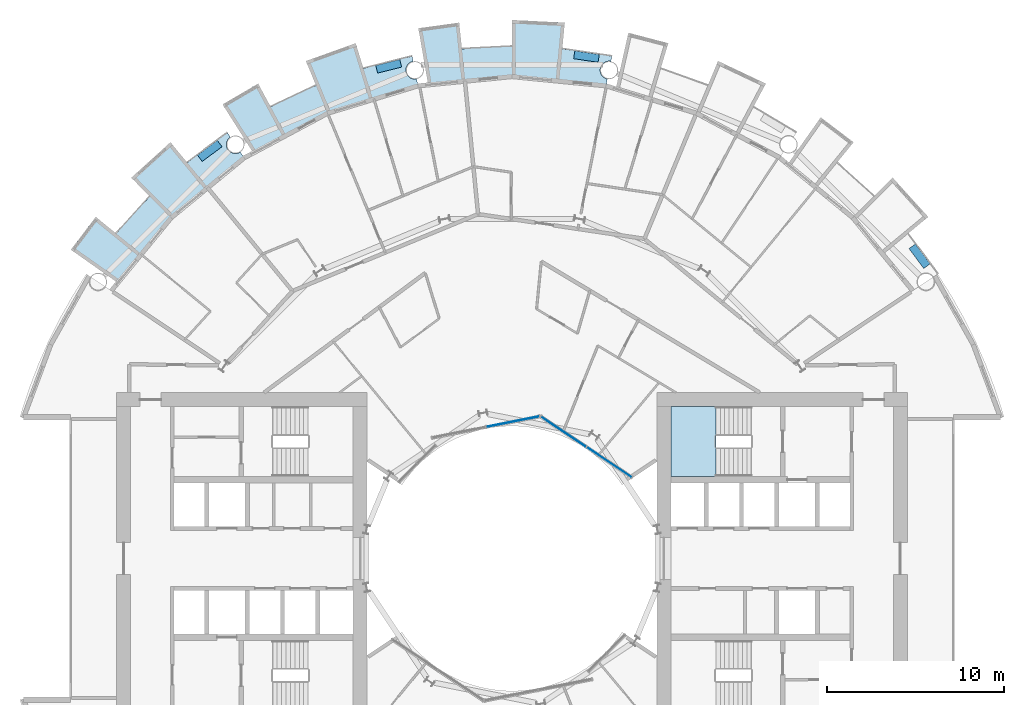
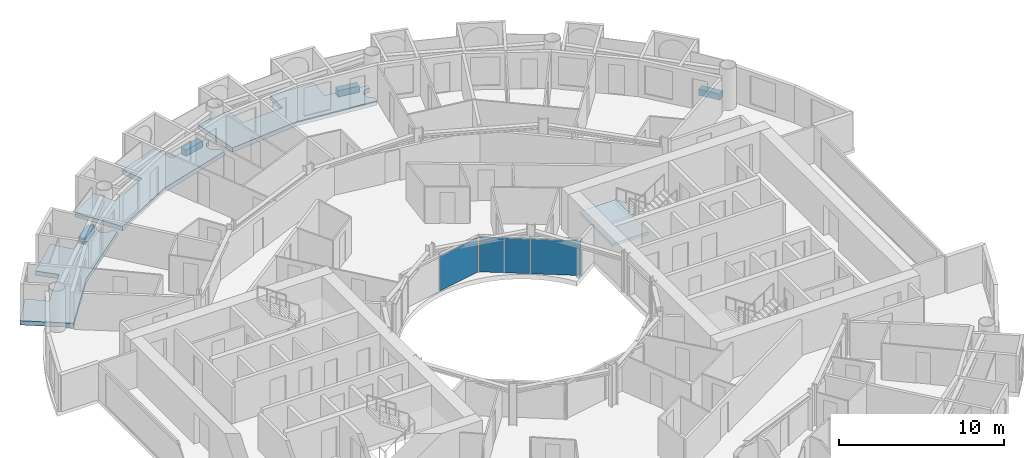
# One storey, part 11 of 26: 8 slabs, 3 plates, 3 elements without a shape of their own.
"""IFC4 building model written with IfcOpenShell, lengths in metres."""

from ifc_helpers import new_model, si_unit, direction, frame, origin, origin_2d, place, context, subcontext, project, spatial, polyline, rectangle, outline, extrude, material, layer, layer_set, type_object, element, aggregate, save


model = new_model("IFC4")

# Units and contexts
model_context = context("Model", 3, precision=1e-05, world=origin(), true_north=direction((0.0, 1.0)))
body_context = subcontext(model_context, "Body", "Model", "MODEL_VIEW")
ifc_project = project(units=[si_unit("LENGTHUNIT", "METRE"), si_unit("AREAUNIT", "SQUARE_METRE"), si_unit("VOLUMEUNIT", "CUBIC_METRE"), si_unit("PLANEANGLEUNIT", "RADIAN"), si_unit("MASSUNIT", "GRAM", prefix="KILO")], contexts=[model_context])

# Site, building, storey
site_placement = place(None, origin())
site = spatial("IfcSite", under=ifc_project, at=site_placement, CompositionType="ELEMENT")
building_placement = place(site_placement, origin())
building = spatial("IfcBuilding", under=site, at=building_placement, Name="Maasbend Ring Residences", CompositionType="ELEMENT")
storey_placement = place(building_placement, frame((0.0, 0.0, 50.25)))
storey = spatial("IfcBuildingStorey", under=building, at=storey_placement, Name="L14", CompositionType="ELEMENT", Elevation=50.25)

# Stair, slab
ifc_material_1 = material(Name="Concrete C40/50", Category="concrete")
stair_type = type_object("IfcStairType", Name="CORE STAIR 18 RISERS", PredefinedType="HALF_TURN_STAIR", material=ifc_material_1)
stair_placement = place(storey_placement, origin())
stair = element("IfcStair", 1, at=stair_placement, inside=storey, type_object=stair_type, Name="L14 Exit stair ST-E1", PredefinedType="HALF_TURN_STAIR")
ifc_material_2 = material(Name="Concrete C40/50", Category="concrete")
ifc_layer_1 = layer(ifc_material_2, 0.199951171875)
ifc_layer_set_1 = layer_set([ifc_layer_1], Name="Concrete C40/50")
slab_type_1 = type_object("IfcSlabType", Name="CORE STAIR LANDING 200", PredefinedType="LANDING", material=ifc_layer_set_1)
slab_1_placement = place(storey_placement, frame((0.0, 0.0, 1.324951171875)))
slab_1 = element("IfcSlab", 2, at=slab_1_placement, type_object=slab_type_1, Name="ST-E1 landing 1", PredefinedType="LANDING", context=body_context, shape_type="SweptSolid", body=[
    extrude(outline(polyline([(11.550048828125, 8.60009765625), (9.0, 8.60009765625), (9.0, 4.64990234375), (11.550048828125, 4.64990234375), (11.550048828125, 8.60009765625)])), origin(), (0.0, 0.0, 1.0), 0.199951171875),
])
aggregate(stair, [slab_1])

# Curtain wall, plates
ifc_material_3 = material(Name="Aluminium and clear glass", Category="aluminium")
ifc_layer_2 = layer(ifc_material_3, 0.179931640625)
ifc_layer_set_2 = layer_set([ifc_layer_2], Name="CW-W")
curtain_wall_type = type_object("IfcCurtainWallType", Name="CW-W", PredefinedType="NOTDEFINED", material=ifc_layer_set_2)
curtain_wall_1_placement = place(storey_placement, origin())
curtain_wall_1 = element("IfcCurtainWall", 3, at=curtain_wall_1_placement, inside=storey, type_object=curtain_wall_type, Name="Well curtain wall N1", PredefinedType="NOTDEFINED")
ifc_material_4 = material(Name="Glass clear laminated", Category="glass")
ifc_layer_3 = layer(ifc_material_4, 0.031982421875)
ifc_layer_set_3 = layer_set([ifc_layer_3], Name="CWP-W")
plate_type = type_object("IfcPlateType", Name="CWP-W", PredefinedType="CURTAIN_PANEL", material=ifc_layer_set_3)
plate_1_placement = place(storey_placement, frame((5.51123046875, 5.44580078125, 0.0), z_axis=(0.0, 0.0, 1.0), x_axis=(-0.831469612303, 0.55557023302, 0.0)))
plate_1 = element("IfcPlate", 4, at=plate_1_placement, type_object=plate_type, Name="Glass panel well face", PredefinedType="CURTAIN_PANEL", context=body_context, shape_type="SweptSolid", body=[
    extrude(rectangle(XDim=3.053955078125, YDim=0.031982421875, at=origin_2d()), origin(), (0.0, 0.0, 1.0), 2.580078125),
])
plate_2_placement = place(storey_placement, frame((2.922119140625, 7.17578125, 0.0), z_axis=(0.0, 0.0, 1.0), x_axis=(-0.831469612303, 0.55557023302, 0.0)))
plate_2 = element("IfcPlate", 5, at=plate_2_placement, type_object=plate_type, Name="Glass panel well face", PredefinedType="CURTAIN_PANEL", context=body_context, shape_type="SweptSolid", body=[
    extrude(rectangle(XDim=3.053955078125, YDim=0.031982421875, at=origin_2d()), origin(), (0.0, 0.0, 1.0), 2.580078125),
])
aggregate(curtain_wall_1, [plate_1, plate_2])

# Curtain wall, plate
curtain_wall_2_placement = place(storey_placement, origin())
curtain_wall_2 = element("IfcCurtainWall", 6, at=curtain_wall_2_placement, inside=storey, type_object=curtain_wall_type, Name="Well curtain wall N2", PredefinedType="NOTDEFINED")
plate_3_placement = place(storey_placement, frame((0.04638671875, 7.747802734375, 0.0), z_axis=(0.0, 0.0, 1.0), x_axis=(-0.980785280403, -0.195090322016, 0.0)))
plate_3 = element("IfcPlate", 7, at=plate_3_placement, type_object=plate_type, Name="Glass panel well face", PredefinedType="CURTAIN_PANEL", context=body_context, shape_type="SweptSolid", body=[
    extrude(rectangle(XDim=3.053955078125, YDim=0.031982421875, at=origin_2d()), origin(), (0.0, 0.0, 1.0), 2.580078125),
])
aggregate(curtain_wall_2, [plate_3])

# Slabs
ifc_material_5 = material(Name="Planting with climbing greenery")
ifc_layer_4 = layer(ifc_material_5, 0.449951171875)
ifc_layer_set_4 = layer_set([ifc_layer_4], Name="PLANTER-LG")
slab_type_2 = type_object("IfcSlabType", Name="PLANTER-LG", PredefinedType="USERDEFINED", material=ifc_layer_set_4)
slab_2_placement = place(storey_placement, frame((0.0, 0.0, -0.030029296875)))
element("IfcSlab", 8, at=slab_2_placement, inside=storey, type_object=slab_type_2, Name="Planter with climbing greenery 1", ObjectType="PLANTER", PredefinedType="USERDEFINED", context=body_context, shape_type="SweptSolid", body=[
    extrude(outline(polyline([(23.681884765625, 16.69189453125), (22.847900390625, 17.81689453125), (22.487060546875, 17.549072265625), (23.321044921875, 16.424072265625), (23.681884765625, 16.69189453125)])), origin(), (0.0, 0.0, 1.0), 0.449951171875),
])
slab_3_placement = place(storey_placement, frame((0.0, 0.0, -0.030029296875)))
element("IfcSlab", 9, at=slab_3_placement, inside=storey, type_object=slab_type_2, Name="Planter with climbing greenery 3", ObjectType="PLANTER", PredefinedType="USERDEFINED", context=body_context, shape_type="SweptSolid", body=[
    extrude(outline(polyline([(4.94189453125, 28.549072265625), (3.55810546875, 28.75390625), (3.491943359375, 28.30908203125), (4.8759765625, 28.10400390625), (4.94189453125, 28.549072265625)])), origin(), (0.0, 0.0, 1.0), 0.449951171875),
])
slab_4_placement = place(storey_placement, frame((0.0, 0.0, -0.030029296875)))
element("IfcSlab", 10, at=slab_4_placement, inside=storey, type_object=slab_type_2, Name="Planter with climbing greenery 4", ObjectType="PLANTER", PredefinedType="USERDEFINED", context=body_context, shape_type="SweptSolid", body=[
    extrude(outline(polyline([(-6.35888671875, 28.26708984375), (-7.717041015625, 27.927001953125), (-7.60791015625, 27.489990234375), (-6.25, 27.8310546875), (-6.35888671875, 28.26708984375)])), origin(), (0.0, 0.0, 1.0), 0.449951171875),
])
slab_5_placement = place(storey_placement, frame((0.0, 0.0, -0.030029296875)))
element("IfcSlab", 11, at=slab_5_placement, inside=storey, type_object=slab_type_2, Name="Planter with climbing greenery 5", ObjectType="PLANTER", PredefinedType="USERDEFINED", context=body_context, shape_type="SweptSolid", body=[
    extrude(outline(polyline([(-16.69189453125, 23.681884765625), (-17.81689453125, 22.847900390625), (-17.549072265625, 22.487060546875), (-16.424072265625, 23.321044921875), (-16.69189453125, 23.681884765625)])), origin(), (0.0, 0.0, 1.0), 0.449951171875),
])
ifc_material_6 = material(Name="Concrete C40/50", Category="concrete")
ifc_layer_5 = layer(ifc_material_6, 0.199951171875)
ifc_layer_set_5 = layer_set([ifc_layer_5], Name="Concrete C40/50")
slab_type_3 = type_object("IfcSlabType", Name="SL-LOGGIA", PredefinedType="FLOOR", material=ifc_layer_set_5)
slab_6_placement = place(storey_placement, frame((0.0, 0.0, -0.35009765625)))
element("IfcSlab", 12, at=slab_6_placement, inside=storey, type_object=slab_type_3, Name="Loggia floor 2", PredefinedType="FLOOR", context=body_context, shape_type="SweptSolid", body=[
    extrude(outline(polyline([(-13.6708984375, 25.575927734375), (-13.6708984375, 25.575927734375), (-13.6708984375, 25.575927734375), (-13.6708984375, 25.575927734375), (-13.6708984375, 25.575927734375), (-13.6708984375, 25.575927734375), (-13.6708984375, 25.575927734375), (-13.669921875, 25.575927734375), (-13.669921875, 25.575927734375), (-13.669921875, 25.575927734375), (-13.669921875, 25.575927734375), (-13.669921875, 25.575927734375), (-13.669921875, 25.575927734375), (-13.669921875, 25.575927734375), (-13.669921875, 25.575927734375), (-13.669921875, 25.575927734375), (-13.669921875, 25.575927734375), (-12.825927734375, 26.009033203125), (-12.825927734375, 26.009033203125), (-11.968994140625, 26.4150390625), (-11.968994140625, 26.4150390625), (-11.097900390625, 26.7919921875), (-11.097900390625, 26.7919921875), (-11.097900390625, 26.7919921875), (-11.097900390625, 26.7919921875), (-11.097900390625, 26.7919921875), (-11.097900390625, 26.7919921875), (-11.097900390625, 26.7919921875), (-11.097900390625, 26.79296875), (-11.097900390625, 26.79296875), (-11.097900390625, 26.79296875), (-11.097900390625, 26.79296875), (-11.097900390625, 26.79296875), (-11.097900390625, 26.79296875), (-11.097900390625, 26.79296875), (-11.097900390625, 26.79296875), (-11.097900390625, 26.79296875), (-11.097900390625, 26.79296875), (-11.672119140625, 28.177978515625), (-11.672119140625, 28.177978515625), (-11.672119140625, 28.177978515625), (-8.85400390625, 29.18701171875), (-8.85400390625, 29.18701171875), (-8.85400390625, 29.18701171875), (-8.41796875, 27.751953125), (-8.41796875, 27.751953125), (-8.41796875, 27.751953125), (-8.41796875, 27.751953125), (-8.41796875, 27.751953125), (-8.41796875, 27.751953125), (-8.41796875, 27.751953125), (-8.41796875, 27.7509765625), (-8.41796875, 27.7509765625), (-8.41796875, 27.7509765625), (-8.41796875, 27.7509765625), (-8.41796875, 27.7509765625), (-8.41796875, 27.7509765625), (-8.41796875, 27.7509765625), (-8.41796875, 27.7509765625), (-8.41796875, 27.7509765625), (-8.41796875, 27.7509765625), (-7.506103515625, 28.011962890625), (-7.506103515625, 28.011962890625), (-6.5849609375, 28.241943359375), (-6.5849609375, 28.241943359375), (-5.657958984375, 28.443115234375), (-5.657958984375, 28.443115234375), (-5.657958984375, 28.443115234375), (-5.60107421875, 28.156005859375), (-5.613037109375, 28.154052734375), (-5.625, 28.15087890625), (-5.636962890625, 28.14794921875), (-5.64892578125, 28.14404296875), (-5.660888671875, 28.139892578125), (-5.673095703125, 28.135986328125), (-5.68408203125, 28.132080078125), (-5.696044921875, 28.126953125), (-5.70703125, 28.123046875), (-5.718994140625, 28.116943359375), (-5.72998046875, 28.112060546875), (-5.740966796875, 28.10595703125), (-5.751953125, 28.10009765625), (-5.762939453125, 28.093994140625), (-5.77294921875, 28.0869140625), (-5.783935546875, 28.080078125), (-5.7939453125, 28.072998046875), (-5.803955078125, 28.06591796875), (-5.81396484375, 28.05908203125), (-5.823974609375, 28.051025390625), (-5.8330078125, 28.04296875), (-5.843017578125, 28.034912109375), (-5.85205078125, 28.02587890625), (-5.861083984375, 28.01708984375), (-5.868896484375, 28.008056640625), (-5.8779296875, 27.9990234375), (-5.885986328125, 27.989990234375), (-5.89404296875, 27.97998046875), (-5.902099609375, 27.970947265625), (-5.909912109375, 27.9609375), (-5.9169921875, 27.950927734375), (-5.924072265625, 27.93994140625), (-5.930908203125, 27.929931640625), (-5.93701171875, 27.9189453125), (-5.944091796875, 27.907958984375), (-5.949951171875, 27.89794921875), (-5.955078125, 27.886962890625), (-5.9609375, 27.875), (-5.966064453125, 27.864013671875), (-5.970947265625, 27.85302734375), (-5.97509765625, 27.841064453125), (-5.97998046875, 27.8291015625), (-5.98388671875, 27.81689453125), (-5.988037109375, 27.805908203125), (-5.990966796875, 27.7939453125), (-5.993896484375, 27.781982421875), (-5.9970703125, 27.76904296875), (-6.0, 27.757080078125), (-6.001953125, 27.7451171875), (-6.00390625, 27.73291015625), (-6.006103515625, 27.719970703125), (-6.007080078125, 27.7080078125), (-6.008056640625, 27.695068359375), (-6.009033203125, 27.68310546875), (-6.009033203125, 27.6708984375), (-6.010009765625, 27.657958984375), (-6.009033203125, 27.64599609375), (-6.009033203125, 27.633056640625), (-6.008056640625, 27.62109375), (-6.007080078125, 27.60791015625), (-6.006103515625, 27.595947265625), (-6.00390625, 27.583984375), (-6.001953125, 27.571044921875), (-6.0, 27.55908203125), (-5.9970703125, 27.547119140625), (-5.993896484375, 27.534912109375), (-5.990966796875, 27.52294921875), (-5.988037109375, 27.510986328125), (-5.98388671875, 27.4990234375), (-5.97998046875, 27.487060546875), (-5.97509765625, 27.47509765625), (-5.970947265625, 27.464111328125), (-5.966064453125, 27.451904296875), (-5.9609375, 27.44091796875), (-5.955078125, 27.429931640625), (-5.949951171875, 27.4189453125), (-5.944091796875, 27.407958984375), (-5.93701171875, 27.39697265625), (-5.930908203125, 27.385986328125), (-5.924072265625, 27.3759765625), (-5.9169921875, 27.365966796875), (-5.909912109375, 27.35498046875), (-5.902099609375, 27.345947265625), (-5.89404296875, 27.3359375), (-5.885986328125, 27.325927734375), (-5.8779296875, 27.31689453125), (-5.868896484375, 27.30810546875), (-5.861083984375, 27.299072265625), (-5.85205078125, 27.2900390625), (-5.843017578125, 27.281982421875), (-5.8330078125, 27.27294921875), (-5.823974609375, 27.264892578125), (-5.81396484375, 27.258056640625), (-5.803955078125, 27.25), (-5.7939453125, 27.242919921875), (-5.783935546875, 27.236083984375), (-5.77294921875, 27.22900390625), (-5.762939453125, 27.221923828125), (-5.751953125, 27.216064453125), (-5.740966796875, 27.2099609375), (-5.72998046875, 27.2041015625), (-5.718994140625, 27.198974609375), (-5.70703125, 27.194091796875), (-5.696044921875, 27.18896484375), (-5.68408203125, 27.18408203125), (-5.673095703125, 27.179931640625), (-5.660888671875, 27.176025390625), (-5.64892578125, 27.172119140625), (-5.636962890625, 27.1689453125), (-5.625, 27.1650390625), (-5.613037109375, 27.162109375), (-5.60107421875, 27.159912109375), (-5.587890625, 27.157958984375), (-5.575927734375, 27.156005859375), (-5.56396484375, 27.154052734375), (-5.551025390625, 27.153076171875), (-5.5390625, 27.15087890625), (-5.52587890625, 27.15087890625), (-5.513916015625, 27.14990234375), (-5.501953125, 27.14990234375), (-5.489013671875, 27.14990234375), (-5.47705078125, 27.15087890625), (-5.464111328125, 27.15087890625), (-5.451904296875, 27.153076171875), (-5.43896484375, 27.154052734375), (-5.427001953125, 27.156005859375), (-5.4150390625, 27.157958984375), (-5.402099609375, 27.159912109375), (-5.325927734375, 26.77490234375), (-5.325927734375, 26.77490234375), (-5.325927734375, 26.77490234375), (-7.886962890625, 25.9990234375), (-10.447021484375, 25.221923828125), (-10.447021484375, 25.221923828125), (-10.447021484375, 25.221923828125), (-12.806884765625, 23.9609375), (-14.64599609375, 22.97705078125), (-14.64599609375, 22.97705078125), (-14.64599609375, 22.97705078125), (-16.39404296875, 25.718994140625), (-16.39404296875, 25.718994140625), (-16.39404296875, 25.718994140625), (-14.3779296875, 26.89892578125), (-14.3779296875, 26.89892578125), (-14.3779296875, 26.89892578125), (-13.6708984375, 25.575927734375)])), origin(), (0.0, 0.0, 1.0), 0.320068359375),
])
slab_7_placement = place(storey_placement, frame((0.0, 0.0, -0.35009765625)))
element("IfcSlab", 13, at=slab_7_placement, inside=storey, type_object=slab_type_3, Name="Loggia floor 3", PredefinedType="FLOOR", context=body_context, shape_type="SweptSolid", body=[
    extrude(outline(polyline([(-2.843017578125, 28.861083984375), (-2.843017578125, 28.861083984375), (-2.843017578125, 28.861083984375), (-2.843017578125, 28.861083984375), (-2.842041015625, 28.861083984375), (-2.842041015625, 28.861083984375), (-2.842041015625, 28.861083984375), (-2.842041015625, 28.861083984375), (-2.842041015625, 28.861083984375), (-2.842041015625, 28.860107421875), (-2.842041015625, 28.860107421875), (-2.842041015625, 28.860107421875), (-2.842041015625, 28.860107421875), (-2.842041015625, 28.860107421875), (-2.842041015625, 28.860107421875), (-2.842041015625, 28.860107421875), (-2.842041015625, 28.860107421875), (-1.89697265625, 28.93798828125), (-1.89697265625, 28.93798828125), (-0.948974609375, 28.98388671875), (-0.948974609375, 28.98388671875), (0.0, 29.0), (0.0, 29.0), (0.0, 29.0), (0.0, 29.0), (0.0, 29.0), (0.0, 29.0), (0.0, 29.0), (0.0, 29.0), (0.0, 29.0), (0.0, 29.0), (0.0, 29.0), (0.0, 29.0), (0.0, 29.0), (0.0, 29.0), (0.0, 29.0), (0.0, 29.0), (0.0, 29.0), (0.0, 30.5), (0.0, 30.5), (0.0, 30.5), (2.989990234375, 30.35302734375), (2.989990234375, 30.35302734375), (2.989990234375, 30.35302734375), (2.843017578125, 28.861083984375), (2.843017578125, 28.861083984375), (2.843017578125, 28.861083984375), (2.843017578125, 28.861083984375), (2.843017578125, 28.861083984375), (2.843017578125, 28.861083984375), (2.843017578125, 28.861083984375), (2.843017578125, 28.861083984375), (2.843017578125, 28.860107421875), (2.843017578125, 28.860107421875), (2.843017578125, 28.860107421875), (2.843017578125, 28.860107421875), (2.843017578125, 28.860107421875), (2.843017578125, 28.860107421875), (2.843017578125, 28.860107421875), (2.843017578125, 28.860107421875), (2.843017578125, 28.860107421875), (3.784912109375, 28.751953125), (3.784912109375, 28.751953125), (4.72412109375, 28.613037109375), (4.72412109375, 28.613037109375), (5.657958984375, 28.443115234375), (5.657958984375, 28.443115234375), (5.657958984375, 28.443115234375), (5.60107421875, 28.156005859375), (5.60107421875, 28.156005859375), (5.587890625, 28.158935546875), (5.575927734375, 28.160888671875), (5.56396484375, 28.162109375), (5.551025390625, 28.1640625), (5.5390625, 28.1650390625), (5.52587890625, 28.1650390625), (5.513916015625, 28.166015625), (5.501953125, 28.166015625), (5.489013671875, 28.166015625), (5.47705078125, 28.1650390625), (5.464111328125, 28.1650390625), (5.451904296875, 28.1640625), (5.43896484375, 28.162109375), (5.427001953125, 28.160888671875), (5.4150390625, 28.158935546875), (5.402099609375, 28.156005859375), (5.389892578125, 28.154052734375), (5.3779296875, 28.15087890625), (5.365966796875, 28.14794921875), (5.35400390625, 28.14404296875), (5.342041015625, 28.139892578125), (5.330078125, 28.135986328125), (5.319091796875, 28.132080078125), (5.306884765625, 28.126953125), (5.2958984375, 28.123046875), (5.283935546875, 28.116943359375), (5.27294921875, 28.112060546875), (5.261962890625, 28.10595703125), (5.2509765625, 28.10009765625), (5.239990234375, 28.093994140625), (5.22998046875, 28.0869140625), (5.218994140625, 28.080078125), (5.208984375, 28.072998046875), (5.198974609375, 28.06591796875), (5.18896484375, 28.05908203125), (5.178955078125, 28.051025390625), (5.169921875, 28.04296875), (5.159912109375, 28.034912109375), (5.15087890625, 28.02587890625), (5.14208984375, 28.01708984375), (5.134033203125, 28.008056640625), (5.125, 27.9990234375), (5.116943359375, 27.989990234375), (5.10888671875, 27.97998046875), (5.10107421875, 27.970947265625), (5.093017578125, 27.9609375), (5.0859375, 27.950927734375), (5.0791015625, 27.93994140625), (5.072021484375, 27.929931640625), (5.06591796875, 27.9189453125), (5.05908203125, 27.907958984375), (5.052978515625, 27.89794921875), (5.048095703125, 27.886962890625), (5.0419921875, 27.875), (5.037109375, 27.864013671875), (5.031982421875, 27.85302734375), (5.028076171875, 27.841064453125), (5.02294921875, 27.8291015625), (5.01904296875, 27.81689453125), (5.014892578125, 27.805908203125), (5.011962890625, 27.7939453125), (5.009033203125, 27.781982421875), (5.006103515625, 27.76904296875), (5.0029296875, 27.757080078125), (5.0009765625, 27.7451171875), (4.9990234375, 27.73291015625), (4.9970703125, 27.719970703125), (4.99609375, 27.7080078125), (4.9951171875, 27.695068359375), (4.993896484375, 27.68310546875), (4.993896484375, 27.6708984375), (4.993896484375, 27.657958984375), (4.993896484375, 27.64599609375), (4.993896484375, 27.633056640625), (4.9951171875, 27.62109375), (4.99609375, 27.60791015625), (4.9970703125, 27.595947265625), (4.9990234375, 27.583984375), (5.0009765625, 27.571044921875), (5.0029296875, 27.55908203125), (5.006103515625, 27.547119140625), (5.009033203125, 27.534912109375), (5.011962890625, 27.52294921875), (5.014892578125, 27.510986328125), (5.01904296875, 27.4990234375), (5.02294921875, 27.487060546875), (5.028076171875, 27.47509765625), (5.031982421875, 27.464111328125), (5.037109375, 27.451904296875), (5.0419921875, 27.44091796875), (5.048095703125, 27.429931640625), (5.052978515625, 27.4189453125), (5.05908203125, 27.407958984375), (5.06591796875, 27.39697265625), (5.072021484375, 27.385986328125), (5.0791015625, 27.3759765625), (5.0859375, 27.365966796875), (5.093017578125, 27.35498046875), (5.10107421875, 27.345947265625), (5.10888671875, 27.3359375), (5.116943359375, 27.325927734375), (5.125, 27.31689453125), (5.134033203125, 27.30810546875), (5.14208984375, 27.299072265625), (5.15087890625, 27.2900390625), (5.159912109375, 27.281982421875), (5.169921875, 27.27294921875), (5.178955078125, 27.264892578125), (5.18896484375, 27.258056640625), (5.198974609375, 27.25), (5.208984375, 27.242919921875), (5.218994140625, 27.236083984375), (5.22998046875, 27.22900390625), (5.239990234375, 27.221923828125), (5.2509765625, 27.216064453125), (5.261962890625, 27.2099609375), (5.27294921875, 27.2041015625), (5.283935546875, 27.198974609375), (5.2958984375, 27.194091796875), (5.306884765625, 27.18896484375), (5.319091796875, 27.18408203125), (5.330078125, 27.179931640625), (5.342041015625, 27.176025390625), (5.35400390625, 27.172119140625), (5.365966796875, 27.1689453125), (5.3779296875, 27.1650390625), (5.389892578125, 27.162109375), (5.402099609375, 27.159912109375), (5.402099609375, 27.159912109375), (5.325927734375, 26.77490234375), (5.325927734375, 26.77490234375), (5.325927734375, 26.77490234375), (2.6630859375, 27.0380859375), (0.0, 27.300048828125), (0.0, 27.300048828125), (0.0, 27.300048828125), (-2.6630859375, 27.0380859375), (-4.739013671875, 26.8330078125), (-4.739013671875, 26.8330078125), (-4.739013671875, 26.8330078125), (-5.303955078125, 30.034912109375), (-5.303955078125, 30.034912109375), (-5.303955078125, 30.034912109375), (-2.989990234375, 30.35302734375), (-2.989990234375, 30.35302734375), (-2.989990234375, 30.35302734375), (-2.843017578125, 28.861083984375)])), origin(), (0.0, 0.0, 1.0), 0.320068359375),
])
slab_8_placement = place(storey_placement, frame((0.0, 0.0, -0.35009765625)))
element("IfcSlab", 14, at=slab_8_placement, inside=storey, type_object=slab_type_3, Name="Loggia floor 5", PredefinedType="FLOOR", context=body_context, shape_type="SweptSolid", body=[
    extrude(outline(polyline([(-22.41796875, 18.39794921875), (-22.41796875, 18.39794921875), (-22.41796875, 18.39794921875), (-22.41796875, 18.39794921875), (-22.41796875, 18.39794921875), (-22.4169921875, 18.39794921875), (-22.4169921875, 18.39794921875), (-22.4169921875, 18.39794921875), (-22.4169921875, 18.39794921875), (-22.4169921875, 18.39794921875), (-22.4169921875, 18.39794921875), (-22.4169921875, 18.39794921875), (-22.4169921875, 18.39794921875), (-22.4169921875, 18.39794921875), (-22.4169921875, 18.39794921875), (-22.4169921875, 18.39794921875), (-22.4169921875, 18.39794921875), (-21.802978515625, 19.12109375), (-21.802978515625, 19.12109375), (-21.166015625, 19.823974609375), (-21.166015625, 19.823974609375), (-20.506103515625, 20.506103515625), (-20.506103515625, 20.506103515625), (-20.506103515625, 20.506103515625), (-20.506103515625, 20.506103515625), (-20.506103515625, 20.506103515625), (-20.506103515625, 20.506103515625), (-20.506103515625, 20.506103515625), (-20.506103515625, 20.506103515625), (-20.506103515625, 20.506103515625), (-20.506103515625, 20.506103515625), (-20.506103515625, 20.506103515625), (-20.506103515625, 20.506103515625), (-20.506103515625, 20.506103515625), (-20.506103515625, 20.506103515625), (-20.506103515625, 20.506103515625), (-20.506103515625, 20.506103515625), (-20.506103515625, 20.506103515625), (-21.56689453125, 21.56689453125), (-21.56689453125, 21.56689453125), (-21.56689453125, 21.56689453125), (-19.34912109375, 23.576904296875), (-19.34912109375, 23.576904296875), (-19.34912109375, 23.576904296875), (-18.39794921875, 22.41796875), (-18.39794921875, 22.41796875), (-18.39794921875, 22.41796875), (-18.39794921875, 22.41796875), (-18.39794921875, 22.41796875), (-18.39794921875, 22.41796875), (-18.39697265625, 22.41796875), (-18.39697265625, 22.41796875), (-18.39697265625, 22.41796875), (-18.39697265625, 22.41796875), (-18.39697265625, 22.41796875), (-18.39697265625, 22.41796875), (-18.39697265625, 22.41796875), (-18.39697265625, 22.41796875), (-18.39697265625, 22.41796875), (-18.39697265625, 22.41796875), (-18.39697265625, 22.41796875), (-17.654052734375, 23.007080078125), (-17.654052734375, 23.007080078125), (-16.89208984375, 23.572998046875), (-16.89208984375, 23.572998046875), (-16.112060546875, 24.113037109375), (-16.112060546875, 24.113037109375), (-16.112060546875, 24.113037109375), (-15.948974609375, 23.8701171875), (-15.948974609375, 23.8701171875), (-15.9599609375, 23.863037109375), (-15.969970703125, 23.85498046875), (-15.97998046875, 23.847900390625), (-15.989013671875, 23.840087890625), (-15.9990234375, 23.83203125), (-16.008056640625, 23.823974609375), (-16.01708984375, 23.81494140625), (-16.02587890625, 23.806884765625), (-16.034912109375, 23.798095703125), (-16.0439453125, 23.7890625), (-16.052001953125, 23.779052734375), (-16.06005859375, 23.77001953125), (-16.068115234375, 23.760009765625), (-16.074951171875, 23.75), (-16.08203125, 23.739990234375), (-16.089111328125, 23.72998046875), (-16.095947265625, 23.718994140625), (-16.10302734375, 23.708984375), (-16.10888671875, 23.697998046875), (-16.114990234375, 23.68701171875), (-16.12109375, 23.676025390625), (-16.1259765625, 23.6650390625), (-16.132080078125, 23.653076171875), (-16.135986328125, 23.64208984375), (-16.14111328125, 23.6298828125), (-16.14501953125, 23.618896484375), (-16.14892578125, 23.60693359375), (-16.153076171875, 23.594970703125), (-16.156982421875, 23.5830078125), (-16.159912109375, 23.571044921875), (-16.1630859375, 23.55908203125), (-16.1650390625, 23.547119140625), (-16.16796875, 23.533935546875), (-16.169921875, 23.52197265625), (-16.1708984375, 23.510009765625), (-16.173095703125, 23.4970703125), (-16.174072265625, 23.485107421875), (-16.174072265625, 23.471923828125), (-16.175048828125, 23.4599609375), (-16.175048828125, 23.447021484375), (-16.175048828125, 23.43505859375), (-16.174072265625, 23.422119140625), (-16.174072265625, 23.409912109375), (-16.173095703125, 23.39794921875), (-16.1708984375, 23.385009765625), (-16.169921875, 23.373046875), (-16.16796875, 23.361083984375), (-16.1650390625, 23.347900390625), (-16.1630859375, 23.3359375), (-16.159912109375, 23.323974609375), (-16.156982421875, 23.31201171875), (-16.153076171875, 23.300048828125), (-16.14892578125, 23.2880859375), (-16.14501953125, 23.27587890625), (-16.14111328125, 23.264892578125), (-16.135986328125, 23.2529296875), (-16.132080078125, 23.241943359375), (-16.1259765625, 23.22998046875), (-16.12109375, 23.218994140625), (-16.114990234375, 23.2080078125), (-16.10888671875, 23.197021484375), (-16.10302734375, 23.18603515625), (-16.095947265625, 23.176025390625), (-16.089111328125, 23.1650390625), (-16.08203125, 23.155029296875), (-16.074951171875, 23.14501953125), (-16.068115234375, 23.135009765625), (-16.06005859375, 23.125), (-16.052001953125, 23.115966796875), (-16.0439453125, 23.10595703125), (-16.034912109375, 23.096923828125), (-16.02587890625, 23.087890625), (-16.01708984375, 23.0791015625), (-16.008056640625, 23.071044921875), (-15.9990234375, 23.06298828125), (-15.989013671875, 23.054931640625), (-15.97998046875, 23.047119140625), (-15.969970703125, 23.0390625), (-15.9599609375, 23.031982421875), (-15.948974609375, 23.02490234375), (-15.93896484375, 23.01806640625), (-15.927978515625, 23.011962890625), (-15.9169921875, 23.0048828125), (-15.906982421875, 22.9990234375), (-15.89599609375, 22.993896484375), (-15.884033203125, 22.988037109375), (-15.873046875, 22.98291015625), (-15.862060546875, 22.97802734375), (-15.85009765625, 22.972900390625), (-15.837890625, 22.968994140625), (-15.825927734375, 22.965087890625), (-15.81494140625, 22.9609375), (-15.802978515625, 22.9580078125), (-15.791015625, 22.955078125), (-15.778076171875, 22.951904296875), (-15.76611328125, 22.948974609375), (-15.75390625, 22.947021484375), (-15.741943359375, 22.945068359375), (-15.72900390625, 22.943115234375), (-15.717041015625, 22.94189453125), (-15.7041015625, 22.94091796875), (-15.69189453125, 22.93994140625), (-15.679931640625, 22.93994140625), (-15.6669921875, 22.93896484375), (-15.655029296875, 22.93994140625), (-15.64208984375, 22.93994140625), (-15.6298828125, 22.94091796875), (-15.616943359375, 22.94189453125), (-15.60498046875, 22.943115234375), (-15.593017578125, 22.945068359375), (-15.580078125, 22.947021484375), (-15.568115234375, 22.948974609375), (-15.555908203125, 22.951904296875), (-15.5439453125, 22.955078125), (-15.531982421875, 22.9580078125), (-15.52001953125, 22.9609375), (-15.508056640625, 22.965087890625), (-15.49609375, 22.968994140625), (-15.48388671875, 22.972900390625), (-15.472900390625, 22.97802734375), (-15.4609375, 22.98291015625), (-15.449951171875, 22.988037109375), (-15.43896484375, 22.993896484375), (-15.427978515625, 22.9990234375), (-15.4169921875, 23.0048828125), (-15.406005859375, 23.011962890625), (-15.39501953125, 23.01806640625), (-15.385009765625, 23.02490234375), (-15.385009765625, 23.02490234375), (-15.1669921875, 22.698974609375), (-15.1669921875, 22.698974609375), (-15.1669921875, 22.698974609375), (-17.236083984375, 21.001953125), (-19.303955078125, 19.303955078125), (-19.303955078125, 19.303955078125), (-19.303955078125, 19.303955078125), (-21.001953125, 17.236083984375), (-22.324951171875, 15.623046875), (-22.324951171875, 15.623046875), (-22.324951171875, 15.623046875), (-24.989013671875, 17.488037109375), (-24.989013671875, 17.488037109375), (-24.989013671875, 17.488037109375), (-23.576904296875, 19.34912109375), (-23.576904296875, 19.34912109375), (-23.576904296875, 19.34912109375), (-22.41796875, 18.39794921875)])), origin(), (0.0, 0.0, 1.0), 0.320068359375),
])

save(model, "model.ifc")
